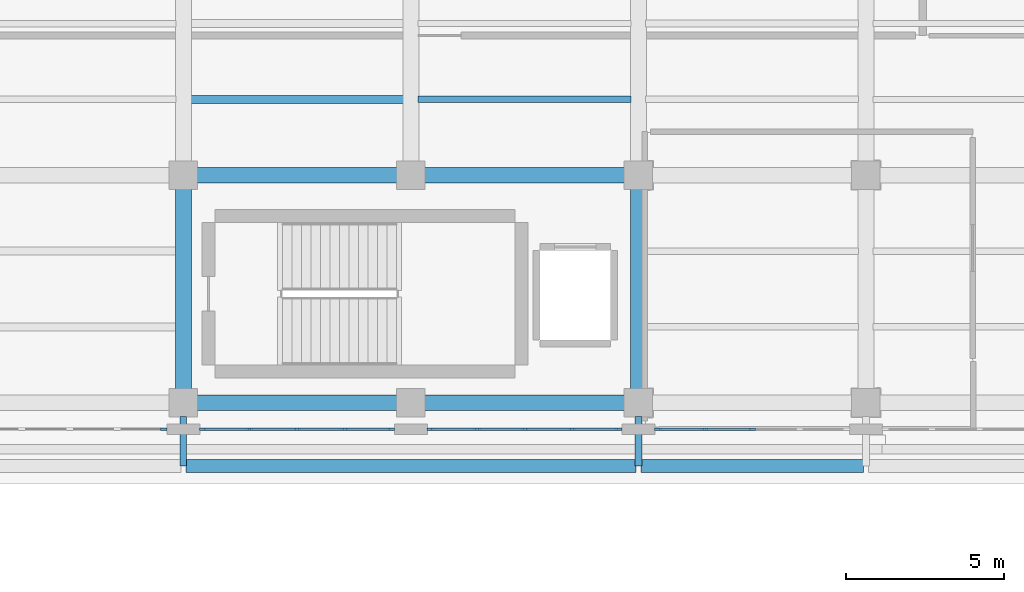
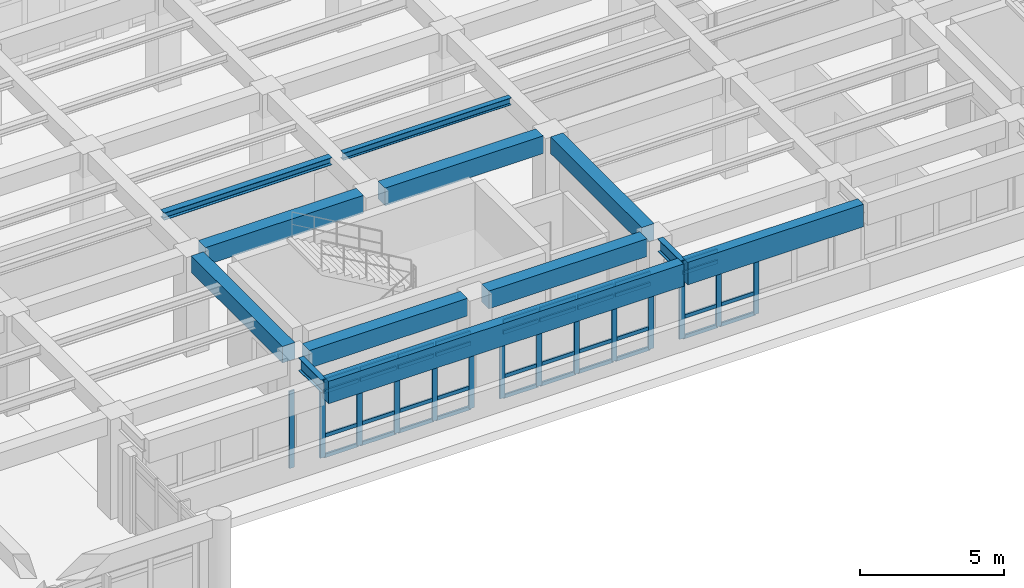
# One storey, part 9 of 69: 52 members, 12 beams, 4 elements without a shape of their own.
"""IFC4 building model written with IfcOpenShell, lengths in metres."""

import ifcopenshell
import ifcopenshell.guid

model = None  # the IFC model being written
_history = None  # IfcOwnerHistory: only IFC2X3 demands one
_inside = {}  # id of a spatial element -> (the spatial element, [elements in it])
_under = {}  # id of a project, library or spatial element -> (it, [spatial elements below it])
_declared = {}  # id of a project -> (the project, [libraries it declares])
_typed = {}  # id of a type object -> (the type object, [elements of that type])
_made_of = {}  # id of a material, layer set ... -> (it, [elements and type objects made of it])


def new_model(schema):
    """Start an empty IFC model of exactly this schema.

    Asked for "IFC4X3", IfcOpenShell would pick the latest addendum, in which some entities
    have other attributes; the version numbers below select the first issue.
    IFC2X3 requires an IfcOwnerHistory on every rooted entity: one is made here for all.
    """
    global model, _history
    if schema == "IFC4X3":
        model = ifcopenshell.file(schema_version=(4, 3, 0, 0))
    else:
        model = ifcopenshell.file(schema=schema)
    _inside.clear()
    _under.clear()
    _declared.clear()
    _typed.clear()
    _made_of.clear()
    _history = None
    if model.schema == "IFC2X3":
        org = make("IfcOrganization", Name="unknown")
        user = make(
            "IfcPersonAndOrganization",
            ThePerson=make("IfcPerson", FamilyName="unknown"),
            TheOrganization=org,
        )
        app = make(
            "IfcApplication",
            ApplicationDeveloper=org,
            Version="unknown",
            ApplicationFullName="unknown",
            ApplicationIdentifier="unknown",
        )
        _history = make(
            "IfcOwnerHistory",
            OwningUser=user,
            OwningApplication=app,
            ChangeAction="ADDED",
            CreationDate=0,
        )
    return model


def make(cls, **values):
    """One entity of the class cls with the attributes given. An attribute that is None is left unset."""
    return model.create_entity(
        cls, **{name: value for name, value in values.items() if value is not None}
    )


def rooted(cls, **values):
    """An entity with a GlobalId (a new one), such as an element, a storey or a relation."""
    return make(cls, GlobalId=ifcopenshell.guid.new(), OwnerHistory=_history, **values)


def si_unit(unit_type, name, prefix=None):
    """IfcSIUnit, for example si_unit("LENGTHUNIT", "METRE", prefix="MILLI")."""
    return make("IfcSIUnit", UnitType=unit_type, Prefix=prefix, Name=name)


def assignment(units):
    """IfcUnitAssignment: the units of a project."""
    return None if units is None else make("IfcUnitAssignment", Units=units)


def point(xyz):
    """IfcCartesianPoint."""
    return None if xyz is None else make("IfcCartesianPoint", Coordinates=xyz)


def direction(xyz):
    """IfcDirection."""
    return None if xyz is None else make("IfcDirection", DirectionRatios=xyz)


def frame(location, z_axis=None, x_axis=None):
    """IfcAxis2Placement3D, a coordinate frame: its origin and axes. An axis left out is left unset."""
    return make(
        "IfcAxis2Placement3D",
        Location=point(location),
        Axis=direction(z_axis),
        RefDirection=direction(x_axis),
    )


def frame_2d(location, x_axis=None):
    """IfcAxis2Placement2D, a coordinate frame in the plane: its origin and x axis."""
    return make(
        "IfcAxis2Placement2D", Location=point(location), RefDirection=direction(x_axis)
    )


def origin():
    """The frame at (0, 0, 0) with its axes left unset."""
    return frame((0.0, 0.0, 0.0))


def origin_2d():
    """The frame at (0, 0) in the plane with its x axis left unset."""
    return frame_2d((0.0, 0.0))


def place(relative_to, where):
    """IfcLocalPlacement: puts the frame where relative to a parent placement (None: the world)."""
    return make(
        "IfcLocalPlacement", PlacementRelTo=relative_to, RelativePlacement=where
    )


def context(
    kind, dimensions, precision=None, world=None, true_north=None, identifier=None
):
    """IfcGeometricRepresentationContext, for example the 3D "Model" context."""
    return make(
        "IfcGeometricRepresentationContext",
        ContextIdentifier=identifier,
        ContextType=kind,
        CoordinateSpaceDimension=dimensions,
        Precision=precision,
        WorldCoordinateSystem=world,
        TrueNorth=true_north,
    )


def subcontext(parent, identifier, kind, view, scale=None):
    """IfcGeometricRepresentationSubContext, for example "Body" below "Model"."""
    return make(
        "IfcGeometricRepresentationSubContext",
        ContextIdentifier=identifier,
        ContextType=kind,
        ParentContext=parent,
        TargetScale=scale,
        TargetView=view,
    )


def project(units=None, contexts=None):
    """IfcProject with its units and contexts."""
    return rooted(
        "IfcProject",
        Name="project",
        RepresentationContexts=contexts,
        UnitsInContext=assignment(units),
    )


def spatial(cls, under=None, at=None, **own):
    """A site, building, storey or space (cls), placed at a placement, below another one or the project."""
    s = rooted(cls, ObjectPlacement=at, **own)
    if under is not None:
        _under.setdefault(under.id(), (under, []))[1].append(s)
    return s


def profile(cls, at=None, kind="AREA", **sizes):
    """A parametric profile (cls). Its sizes go by their IFC names, for example OverallWidth=200.0."""
    return make(cls, ProfileType=kind, Position=at, **sizes)


def rectangle(**sizes):
    """IfcRectangleProfileDef."""
    return profile("IfcRectangleProfileDef", **sizes)


def i_section(**sizes):
    """IfcIShapeProfileDef."""
    return profile("IfcIShapeProfileDef", **sizes)


def extrude(swept, where, along, depth):
    """IfcExtrudedAreaSolid: the profile swept, set in the frame where, extruded along a direction by depth."""
    return make(
        "IfcExtrudedAreaSolid",
        SweptArea=swept,
        Position=where,
        ExtrudedDirection=direction(along),
        Depth=depth,
    )


def shape(context_of_items, identifier, shape_type, items):
    """IfcShapeRepresentation: the items that make up one representation, for example the "Body"."""
    return make(
        "IfcShapeRepresentation",
        ContextOfItems=context_of_items,
        RepresentationIdentifier=identifier,
        RepresentationType=shape_type,
        Items=items,
    )


def material(Name=None, Category=None):
    """IfcMaterial."""
    return make("IfcMaterial", Name=Name, Category=Category)


def layer(
    of_material, thickness, ventilated=None, Name=None, Category=None, Priority=None
):
    """IfcMaterialLayer: one layer of a wall or slab, of a material (None: an air gap)."""
    return make(
        "IfcMaterialLayer",
        Material=of_material,
        LayerThickness=thickness,
        IsVentilated=ventilated,
        Name=Name,
        Category=Category,
        Priority=Priority,
    )


def layer_set(layers, Name=None):
    """IfcMaterialLayerSet."""
    return make("IfcMaterialLayerSet", MaterialLayers=layers, LayerSetName=Name)


def material_profile(
    of_material, cross_section, Name=None, Category=None, Priority=None
):
    """IfcMaterialProfile: a cross section and its material."""
    return make(
        "IfcMaterialProfile",
        Name=Name,
        Material=of_material,
        Profile=cross_section,
        Priority=Priority,
        Category=Category,
    )


def profile_set(profiles, Name=None, composite=None):
    """IfcMaterialProfileSet."""
    return make(
        "IfcMaterialProfileSet",
        Name=Name,
        MaterialProfiles=profiles,
        CompositeProfile=composite,
    )


def made_of(thing, what):
    """Note that an element or type object is made of a material, layer set ...; save() writes the relation."""
    if what is not None:
        _made_of.setdefault(what.id(), (what, []))[1].append(thing)
    return thing


def type_object(cls, material=None, **own):
    """A type object (cls), such as IfcWallType, which elements share."""
    return made_of(rooted(cls, **own), material)


def element(
    cls,
    number,
    at=None,
    inside=None,
    cuts=None,
    type_object=None,
    material=None,
    context=None,
    identifier="Body",
    shape_type=None,
    held_by="IfcProductDefinitionShape",
    body=None,
    shapes=None,
    **own,
):
    """One element of the class cls, such as IfcWall. Its Tag is "e" and its number.

    at: its placement. inside: the storey or other place that contains it. cuts: it is an
    opening in that element (IfcRelVoidsElement). A single representation is given by context,
    identifier, shape_type and body (its items); several are given by shapes. held_by: the class
    of the entity that holds the representations. save() writes the other relations.
    """
    e = rooted(cls, Tag="e%d" % number, ObjectPlacement=at, **own)
    if body is not None:
        shapes = [shape(context, identifier, shape_type, body)]
    if shapes is not None:
        e.Representation = make(held_by, Representations=shapes)
    if inside is not None:
        _inside.setdefault(inside.id(), (inside, []))[1].append(e)
    if cuts is not None:
        rooted(
            "IfcRelVoidsElement", RelatingBuildingElement=cuts, RelatedOpeningElement=e
        )
    if type_object is not None:
        _typed.setdefault(type_object.id(), (type_object, []))[1].append(e)
    return made_of(e, material)


def aggregate(whole, parts):
    """IfcRelAggregates: a whole, such as a stair, and the parts it consists of."""
    return rooted("IfcRelAggregates", RelatingObject=whole, RelatedObjects=parts)


def save(model, path):
    """Write the relations noted so far, then the file.

    IfcRelAggregates (storeys below a building ...), IfcRelContainedInSpatialStructure (elements
    in a storey), IfcRelDefinesByType, IfcRelAssociatesMaterial and IfcRelDeclares: one each for
    every whole, place, type object, material and project.
    """
    for whole, parts in _under.values():
        aggregate(whole, parts)
    for where, things in _inside.values():
        rooted(
            "IfcRelContainedInSpatialStructure",
            RelatedElements=things,
            RelatingStructure=where,
        )
    for kind, things in _typed.values():
        rooted("IfcRelDefinesByType", RelatedObjects=things, RelatingType=kind)
    for what, things in _made_of.values():
        rooted("IfcRelAssociatesMaterial", RelatedObjects=things, RelatingMaterial=what)
    for by, libraries in _declared.values():
        rooted("IfcRelDeclares", RelatingContext=by, RelatedDefinitions=libraries)
    model.write(path)


model = new_model("IFC4")

# Units and contexts
model_context = context("Model", 3, precision=1e-05, world=origin(), true_north=direction((0.0, 1.0)))
body_context = subcontext(model_context, "Body", "Model", "MODEL_VIEW")
ifc_project = project(units=[si_unit("LENGTHUNIT", "METRE"), si_unit("AREAUNIT", "SQUARE_METRE"), si_unit("VOLUMEUNIT", "CUBIC_METRE"), si_unit("PLANEANGLEUNIT", "RADIAN"), si_unit("MASSUNIT", "GRAM", prefix="KILO")], contexts=[model_context])

# Site, building, storey
site_placement = place(None, origin())
site = spatial("IfcSite", under=ifc_project, at=site_placement, CompositionType="ELEMENT")
building_placement = place(site_placement, origin())
building = spatial("IfcBuilding", under=site, at=building_placement, Name="Solenvale Faculty of Natural Sciences", CompositionType="ELEMENT")
storey_placement = place(building_placement, frame((0.0, 0.0, 4.5)))
storey = spatial("IfcBuildingStorey", under=building, at=storey_placement, Name="L01", CompositionType="ELEMENT", Elevation=4.5)

# Beams
ifc_material_1 = material(Name="Concrete 40 MPa", Category="concrete")
ifc_material_profile_1 = material_profile(ifc_material_1, rectangle(XDim=0.5, YDim=0.699951171875, at=origin_2d()), Name="RC-BM-500x700")
ifc_profile_set_1 = profile_set([ifc_material_profile_1], Name="Concrete 40 MPa")
beam_type_1 = type_object("IfcBeamType", Name="BM-RC-500x700", PredefinedType="BEAM", material=ifc_profile_set_1)
for number, where, z_axis, x_axis, name in (
    (1, (64.800048828125, 22.030029296875, 3.8701171875), (0.0, 1.0, 0.0), (-1.0, 0.0, 0.0), "L01 Y-Girder X64.8 (21.6..28.8)"),
    (2, (79.199951171875, 22.030029296875, 3.8701171875), (0.0, 1.0, 0.0), (-1.0, 0.0, 0.0), "L01 Y-Girder X79.2 (21.6..28.8)"),
):
    element("IfcBeam", number, at=place(storey_placement, frame(where, z_axis=z_axis, x_axis=x_axis)), inside=storey, type_object=beam_type_1, Name=name, PredefinedType="BEAM", context=body_context, shape_type="SweptSolid", body=[
        extrude(rectangle(XDim=0.5, YDim=0.699951171875, at=origin_2d()), origin(), (0.0, 0.0, 1.0), 6.340087890625),
    ])
ifc_material_profile_2 = material_profile(ifc_material_1, rectangle(XDim=0.5, YDim=0.75, at=origin_2d()), Name="RC-BM-500x750")
ifc_profile_set_2 = profile_set([ifc_material_profile_2], Name="Concrete 40 MPa")
beam_type_2 = type_object("IfcBeamType", Name="BM-RC-500x750", PredefinedType="BEAM", material=ifc_profile_set_2)
for number, where, z_axis, x_axis, name in (
    (3, (65.22998046875, 21.60009765625, 3.844970703125), (1.0, 0.0, 0.0), (0.0, 1.0, 0.0), "L01 X-Girder Y21.6 (64.8..72.0)"),
    (4, (72.429931640625, 21.60009765625, 3.844970703125), (1.0, 0.0, 0.0), (0.0, 1.0, 0.0), "L01 X-Girder Y21.6 (72.0..79.2)"),
    (5, (65.22998046875, 28.800048828125, 3.844970703125), (1.0, 0.0, 0.0), (0.0, 1.0, 0.0), "L01 X-Girder Y28.8 (64.8..72.0)"),
    (6, (72.429931640625, 28.800048828125, 3.844970703125), (1.0, 0.0, 0.0), (0.0, 1.0, 0.0), "L01 X-Girder Y28.8 (72.0..79.2)"),
):
    element("IfcBeam", number, at=place(storey_placement, frame(where, z_axis=z_axis, x_axis=x_axis)), inside=storey, type_object=beam_type_2, Name=name, PredefinedType="BEAM", context=body_context, shape_type="SweptSolid", body=[
        extrude(rectangle(XDim=0.5, YDim=0.75, at=origin_2d()), origin(), (0.0, 0.0, 1.0), 6.340087890625),
    ])
ifc_material_2 = material(Name="Architectural bronze concrete 40 MPa", Category="concrete")
ifc_material_profile_3 = material_profile(ifc_material_2, rectangle(XDim=0.39990234375, YDim=0.949951171875, at=origin_2d()), Name="RC-SPN-400x950")
ifc_profile_set_3 = profile_set([ifc_material_profile_3], Name="Architectural bronze concrete 40 MPa")
beam_type_3 = type_object("IfcBeamType", Name="BM-SPN-BRZ-950", PredefinedType="SPANDREL", material=ifc_profile_set_3)
beam_1_placement = place(storey_placement, frame((64.8798828125, 19.60009765625, 3.7451171875), z_axis=(1.0, 0.0, 0.0), x_axis=(0.0, 1.0, 0.0)))
element("IfcBeam", 7, at=beam_1_placement, inside=storey, type_object=beam_type_3, Name="L02 Sliding-Tray South Bronze Fascia 2", PredefinedType="SPANDREL", context=body_context, shape_type="SweptSolid", body=[
    extrude(rectangle(XDim=0.39990234375, YDim=0.949951171875, at=origin_2d()), origin(), (0.0, 0.0, 1.0), 14.240234375),
])
beam_2_placement = place(storey_placement, frame((79.280029296875, 19.60009765625, 3.7451171875), z_axis=(1.0, 0.0, 0.0), x_axis=(0.0, 1.0, 0.0)))
element("IfcBeam", 8, at=beam_2_placement, inside=storey, type_object=beam_type_3, Name="L02 Sliding-Tray South Bronze Fascia 3", PredefinedType="SPANDREL", context=body_context, shape_type="SweptSolid", body=[
    extrude(rectangle(XDim=0.39990234375, YDim=0.949951171875, at=origin_2d()), origin(), (0.0, 0.0, 1.0), 7.0400390625),
])
ifc_material_3 = material(Name="Steel S355", Category="steel")
ifc_material_profile_4 = material_profile(ifc_material_3, i_section(OverallWidth=0.202880859375, OverallDepth=0.302978515625, WebThickness=0.007568359375, FlangeThickness=0.01318359375, FilletRadius=0.014892578125, at=origin_2d()), Name="W310x60")
ifc_profile_set_4 = profile_set([ifc_material_profile_4], Name="Steel S355")
beam_type_4 = type_object("IfcBeamType", Name="BM-STL-W310x60", PredefinedType="JOIST", material=ifc_profile_set_4)
beam_3_placement = place(storey_placement, frame((72.22998046875, 31.199951171875, 4.068603515625), z_axis=(1.0, 0.0, 0.0), x_axis=(0.0, 1.0, 0.0)))
element("IfcBeam", 9, at=beam_3_placement, inside=storey, type_object=beam_type_4, Name="L01 Composite Floor Joist (11,5).1", PredefinedType="JOIST", context=body_context, shape_type="SweptSolid", body=[
    extrude(i_section(OverallWidth=0.202880859375, OverallDepth=0.302978515625, WebThickness=0.007568359375, FlangeThickness=0.01318359375, FilletRadius=0.014892578125, at=origin_2d()), origin(), (0.0, 0.0, 1.0), 6.739990234375),
])
ifc_material_profile_5 = material_profile(ifc_material_3, i_section(OverallWidth=0.25390625, OverallDepth=0.305908203125, WebThickness=0.0087890625, FlangeThickness=0.0146484375, FilletRadius=0.014892578125, at=origin_2d()), Name="W310x79")
ifc_profile_set_5 = profile_set([ifc_material_profile_5], Name="Steel S355")
beam_type_5 = type_object("IfcBeamType", Name="BM-STL-W310x79", PredefinedType="JOIST", material=ifc_profile_set_5)
beam_4_placement = place(storey_placement, frame((65.030029296875, 31.199951171875, 4.06689453125), z_axis=(1.0, 0.0, 0.0), x_axis=(0.0, 1.0, 0.0)))
element("IfcBeam", 10, at=beam_4_placement, inside=storey, type_object=beam_type_5, Name="L01 Composite Floor Joist (10,5).1", PredefinedType="JOIST", context=body_context, shape_type="SweptSolid", body=[
    extrude(i_section(OverallWidth=0.25390625, OverallDepth=0.305908203125, WebThickness=0.0087890625, FlangeThickness=0.0146484375, FilletRadius=0.014892578125, at=origin_2d()), origin(), (0.0, 0.0, 1.0), 6.739990234375),
])
ifc_material_profile_6 = material_profile(ifc_material_3, i_section(OverallWidth=0.2119140625, OverallDepth=0.5439453125, WebThickness=0.01318359375, FlangeThickness=0.021240234375, FilletRadius=0.01904296875, at=origin_2d()), Name="W530x123")
ifc_profile_set_6 = profile_set([ifc_material_profile_6], Name="Steel S355")
beam_type_6 = type_object("IfcBeamType", Name="BM-STL-W530x123", PredefinedType="BEAM", material=ifc_profile_set_6)
for number, where, z_axis, x_axis, name in (
    (11, (64.800048828125, 21.169921875, 3.947998046875), (0.0, -1.0, 0.0), (1.0, 0.0, 0.0), "L01 V4 Cantilever Tray Girder X64.8"),
    (12, (79.199951171875, 21.169921875, 3.947998046875), (0.0, -1.0, 0.0), (1.0, 0.0, 0.0), "L01 V4 Cantilever Tray Girder X79.2"),
):
    element("IfcBeam", number, at=place(storey_placement, frame(where, z_axis=z_axis, x_axis=x_axis)), inside=storey, type_object=beam_type_6, Name=name, PredefinedType="BEAM", context=body_context, shape_type="SweptSolid", body=[
        extrude(i_section(OverallWidth=0.2119140625, OverallDepth=0.5439453125, WebThickness=0.01318359375, FlangeThickness=0.021240234375, FilletRadius=0.01904296875, at=origin_2d()), origin(), (0.0, 0.0, 1.0), 1.56982421875),
    ])

# Curtain wall, member
ifc_material_4 = material(Name="Anodised bronze aluminium", Category="aluminium")
ifc_layer = layer(ifc_material_4, 0.18994140625)
ifc_layer_set = layer_set([ifc_layer], Name="Anodised bronze aluminium")
curtain_wall_type = type_object("IfcCurtainWallType", Name="CW-TRAY-REC", PredefinedType="USERDEFINED", material=ifc_layer_set)
curtain_wall_1_placement = place(storey_placement, origin())
curtain_wall_1 = element("IfcCurtainWall", 13, at=curtain_wall_1_placement, inside=storey, type_object=curtain_wall_type, Name="L01 Curtain Wall CW-L01-P1-E5-B1", ObjectType="UNITISED CURTAIN WALL", PredefinedType="USERDEFINED")
ifc_material_profile_7 = material_profile(ifc_material_4, rectangle(XDim=0.074951171875, YDim=0.2099609375, at=origin_2d()), Name="ALU-MUL-75x210")
ifc_profile_set_7 = profile_set([ifc_material_profile_7], Name="Anodised bronze aluminium")
member_type_1 = type_object("IfcMemberType", Name="CWM-ALU-75x210", PredefinedType="MULLION", material=ifc_profile_set_7)
member_1_placement = place(storey_placement, frame((64.1826171875, 20.762451171875, 0.0), z_axis=(0.0, 0.0, 1.0), x_axis=(0.0, 1.0, 0.0)))
member_1 = element("IfcMember", 14, at=member_1_placement, type_object=member_type_1, Name="CW-02 mullion 5", PredefinedType="MULLION", context=body_context, shape_type="SweptSolid", body=[
    extrude(rectangle(XDim=0.074951171875, YDim=0.2099609375, at=origin_2d()), origin(), (0.0, 0.0, 1.0), 3.260009765625),
])
aggregate(curtain_wall_1, [member_1])

# Curtain wall, members
curtain_wall_2_placement = place(storey_placement, origin())
curtain_wall_2 = element("IfcCurtainWall", 15, at=curtain_wall_2_placement, inside=storey, type_object=curtain_wall_type, Name="L01 Curtain Wall CW-L01-P1-E5-B2", ObjectType="UNITISED CURTAIN WALL", PredefinedType="USERDEFINED")
member_2_placement = place(storey_placement, frame((65.41748046875, 20.762451171875, 0.0), z_axis=(0.0, 0.0, 1.0), x_axis=(0.0, 1.0, 0.0)))
member_2 = element("IfcMember", 16, at=member_2_placement, type_object=member_type_1, Name="CW-02 mullion 1", PredefinedType="MULLION", context=body_context, shape_type="SweptSolid", body=[
    extrude(rectangle(XDim=0.074951171875, YDim=0.2099609375, at=origin_2d()), origin(), (0.0, 0.0, 1.0), 3.260009765625),
])
member_3_placement = place(storey_placement, frame((66.889892578125, 20.762451171875, 0.0), z_axis=(0.0, 0.0, 1.0), x_axis=(0.0, 1.0, 0.0)))
member_3 = element("IfcMember", 17, at=member_3_placement, type_object=member_type_1, Name="CW-02 mullion 2", PredefinedType="MULLION", context=body_context, shape_type="SweptSolid", body=[
    extrude(rectangle(XDim=0.074951171875, YDim=0.2099609375, at=origin_2d()), origin(), (0.0, 0.0, 1.0), 3.260009765625),
])
member_4_placement = place(storey_placement, frame((68.39990234375, 20.762451171875, 0.0), z_axis=(0.0, 0.0, 1.0), x_axis=(0.0, 1.0, 0.0)))
member_4 = element("IfcMember", 18, at=member_4_placement, type_object=member_type_1, Name="CW-02 mullion 3", PredefinedType="MULLION", context=body_context, shape_type="SweptSolid", body=[
    extrude(rectangle(XDim=0.074951171875, YDim=0.2099609375, at=origin_2d()), origin(), (0.0, 0.0, 1.0), 3.260009765625),
])
member_5_placement = place(storey_placement, frame((69.909912109375, 20.762451171875, 0.0), z_axis=(0.0, 0.0, 1.0), x_axis=(0.0, 1.0, 0.0)))
member_5 = element("IfcMember", 19, at=member_5_placement, type_object=member_type_1, Name="CW-02 mullion 4", PredefinedType="MULLION", context=body_context, shape_type="SweptSolid", body=[
    extrude(rectangle(XDim=0.074951171875, YDim=0.2099609375, at=origin_2d()), origin(), (0.0, 0.0, 1.0), 3.260009765625),
])
member_6_placement = place(storey_placement, frame((71.382568359375, 20.762451171875, 0.0), z_axis=(0.0, 0.0, 1.0), x_axis=(0.0, 1.0, 0.0)))
member_6 = element("IfcMember", 20, at=member_6_placement, type_object=member_type_1, Name="CW-02 mullion 5", PredefinedType="MULLION", context=body_context, shape_type="SweptSolid", body=[
    extrude(rectangle(XDim=0.074951171875, YDim=0.2099609375, at=origin_2d()), origin(), (0.0, 0.0, 1.0), 3.260009765625),
])

curtain_wall_3_placement = place(storey_placement, origin())
curtain_wall_3 = element("IfcCurtainWall", 21, at=curtain_wall_3_placement, inside=storey, type_object=curtain_wall_type, Name="L01 Curtain Wall CW-L01-P1-E5-B3", ObjectType="UNITISED CURTAIN WALL", PredefinedType="USERDEFINED")
member_7_placement = place(storey_placement, frame((72.617431640625, 20.762451171875, 0.0), z_axis=(0.0, 0.0, 1.0), x_axis=(0.0, 1.0, 0.0)))
member_7 = element("IfcMember", 22, at=member_7_placement, type_object=member_type_1, Name="CW-02 mullion 1", PredefinedType="MULLION", context=body_context, shape_type="SweptSolid", body=[
    extrude(rectangle(XDim=0.074951171875, YDim=0.2099609375, at=origin_2d()), origin(), (0.0, 0.0, 1.0), 3.260009765625),
])
member_8_placement = place(storey_placement, frame((74.090087890625, 20.762451171875, 0.0), z_axis=(0.0, 0.0, 1.0), x_axis=(0.0, 1.0, 0.0)))
member_8 = element("IfcMember", 23, at=member_8_placement, type_object=member_type_1, Name="CW-02 mullion 2", PredefinedType="MULLION", context=body_context, shape_type="SweptSolid", body=[
    extrude(rectangle(XDim=0.074951171875, YDim=0.2099609375, at=origin_2d()), origin(), (0.0, 0.0, 1.0), 3.260009765625),
])
member_9_placement = place(storey_placement, frame((75.60009765625, 20.762451171875, 0.0), z_axis=(0.0, 0.0, 1.0), x_axis=(0.0, 1.0, 0.0)))
member_9 = element("IfcMember", 24, at=member_9_placement, type_object=member_type_1, Name="CW-02 mullion 3", PredefinedType="MULLION", context=body_context, shape_type="SweptSolid", body=[
    extrude(rectangle(XDim=0.074951171875, YDim=0.2099609375, at=origin_2d()), origin(), (0.0, 0.0, 1.0), 3.260009765625),
])
member_10_placement = place(storey_placement, frame((77.110107421875, 20.762451171875, 0.0), z_axis=(0.0, 0.0, 1.0), x_axis=(0.0, 1.0, 0.0)))
member_10 = element("IfcMember", 25, at=member_10_placement, type_object=member_type_1, Name="CW-02 mullion 4", PredefinedType="MULLION", context=body_context, shape_type="SweptSolid", body=[
    extrude(rectangle(XDim=0.074951171875, YDim=0.2099609375, at=origin_2d()), origin(), (0.0, 0.0, 1.0), 3.260009765625),
])
member_11_placement = place(storey_placement, frame((78.58251953125, 20.762451171875, 0.0), z_axis=(0.0, 0.0, 1.0), x_axis=(0.0, 1.0, 0.0)))
member_11 = element("IfcMember", 26, at=member_11_placement, type_object=member_type_1, Name="CW-02 mullion 5", PredefinedType="MULLION", context=body_context, shape_type="SweptSolid", body=[
    extrude(rectangle(XDim=0.074951171875, YDim=0.2099609375, at=origin_2d()), origin(), (0.0, 0.0, 1.0), 3.260009765625),
])

curtain_wall_4_placement = place(storey_placement, origin())
curtain_wall_4 = element("IfcCurtainWall", 27, at=curtain_wall_4_placement, inside=storey, type_object=curtain_wall_type, Name="L01 Curtain Wall CW-L01-P1-E5-B4", ObjectType="UNITISED CURTAIN WALL", PredefinedType="USERDEFINED")
member_12_placement = place(storey_placement, frame((79.8173828125, 20.762451171875, 0.0), z_axis=(0.0, 0.0, 1.0), x_axis=(0.0, 1.0, 0.0)))
member_12 = element("IfcMember", 28, at=member_12_placement, type_object=member_type_1, Name="CW-02 mullion 1", PredefinedType="MULLION", context=body_context, shape_type="SweptSolid", body=[
    extrude(rectangle(XDim=0.074951171875, YDim=0.2099609375, at=origin_2d()), origin(), (0.0, 0.0, 1.0), 3.260009765625),
])
member_13_placement = place(storey_placement, frame((81.2900390625, 20.762451171875, 0.0), z_axis=(0.0, 0.0, 1.0), x_axis=(0.0, 1.0, 0.0)))
member_13 = element("IfcMember", 29, at=member_13_placement, type_object=member_type_1, Name="CW-02 mullion 2", PredefinedType="MULLION", context=body_context, shape_type="SweptSolid", body=[
    extrude(rectangle(XDim=0.074951171875, YDim=0.2099609375, at=origin_2d()), origin(), (0.0, 0.0, 1.0), 3.260009765625),
])
member_14_placement = place(storey_placement, frame((82.800048828125, 20.762451171875, 0.0), z_axis=(0.0, 0.0, 1.0), x_axis=(0.0, 1.0, 0.0)))
member_14 = element("IfcMember", 30, at=member_14_placement, type_object=member_type_1, Name="CW-02 mullion 3", PredefinedType="MULLION", context=body_context, shape_type="SweptSolid", body=[
    extrude(rectangle(XDim=0.074951171875, YDim=0.2099609375, at=origin_2d()), origin(), (0.0, 0.0, 1.0), 3.260009765625),
])

# Member
ifc_material_profile_8 = material_profile(ifc_material_4, rectangle(XDim=0.074951171875, YDim=0.155029296875, at=origin_2d()), Name="ALU-TRN-75x155")
ifc_profile_set_8 = profile_set([ifc_material_profile_8], Name="Anodised bronze aluminium")
member_type_2 = type_object("IfcMemberType", Name="CWT-ALU-75x155", PredefinedType="USERDEFINED", material=ifc_profile_set_8)
member_15_placement = place(storey_placement, frame((65.455078125, 20.762451171875, 0.03759765625), z_axis=(1.0, 0.0, 0.0), x_axis=(0.0, 1.0, 0.0)))
member_15 = element("IfcMember", 31, at=member_15_placement, type_object=member_type_2, Name="CW-02 transom 1.1", ObjectType="TRANSOM", PredefinedType="USERDEFINED", context=body_context, shape_type="SweptSolid", body=[
    extrude(rectangle(XDim=0.074951171875, YDim=0.155029296875, at=origin_2d()), origin(), (0.0, 0.0, 1.0), 1.3974609375),
])

member_16_placement = place(storey_placement, frame((65.455078125, 20.762451171875, 0.89990234375), z_axis=(1.0, 0.0, 0.0), x_axis=(0.0, 1.0, 0.0)))
member_16 = element("IfcMember", 32, at=member_16_placement, type_object=member_type_2, Name="CW-02 transom 1.2", ObjectType="TRANSOM", PredefinedType="USERDEFINED", context=body_context, shape_type="SweptSolid", body=[
    extrude(rectangle(XDim=0.074951171875, YDim=0.155029296875, at=origin_2d()), origin(), (0.0, 0.0, 1.0), 1.3974609375),
])

member_17_placement = place(storey_placement, frame((65.455078125, 20.762451171875, 2.760009765625), z_axis=(1.0, 0.0, 0.0), x_axis=(0.0, 1.0, 0.0)))
member_17 = element("IfcMember", 33, at=member_17_placement, type_object=member_type_2, Name="CW-02 transom 1.3", ObjectType="TRANSOM", PredefinedType="USERDEFINED", context=body_context, shape_type="SweptSolid", body=[
    extrude(rectangle(XDim=0.074951171875, YDim=0.155029296875, at=origin_2d()), origin(), (0.0, 0.0, 1.0), 1.3974609375),
])

member_18_placement = place(storey_placement, frame((65.455078125, 20.762451171875, 3.222412109375), z_axis=(1.0, 0.0, 0.0), x_axis=(0.0, 1.0, 0.0)))
member_18 = element("IfcMember", 34, at=member_18_placement, type_object=member_type_2, Name="CW-02 transom 1.4", ObjectType="TRANSOM", PredefinedType="USERDEFINED", context=body_context, shape_type="SweptSolid", body=[
    extrude(rectangle(XDim=0.074951171875, YDim=0.155029296875, at=origin_2d()), origin(), (0.0, 0.0, 1.0), 1.3974609375),
])

member_19_placement = place(storey_placement, frame((66.927490234375, 20.762451171875, 0.03759765625), z_axis=(1.0, 0.0, 0.0), x_axis=(0.0, 1.0, 0.0)))
member_19 = element("IfcMember", 35, at=member_19_placement, type_object=member_type_2, Name="CW-02 transom 2.1", ObjectType="TRANSOM", PredefinedType="USERDEFINED", context=body_context, shape_type="SweptSolid", body=[
    extrude(rectangle(XDim=0.074951171875, YDim=0.155029296875, at=origin_2d()), origin(), (0.0, 0.0, 1.0), 1.43505859375),
])

member_20_placement = place(storey_placement, frame((66.927490234375, 20.762451171875, 0.89990234375), z_axis=(1.0, 0.0, 0.0), x_axis=(0.0, 1.0, 0.0)))
member_20 = element("IfcMember", 36, at=member_20_placement, type_object=member_type_2, Name="CW-02 transom 2.2", ObjectType="TRANSOM", PredefinedType="USERDEFINED", context=body_context, shape_type="SweptSolid", body=[
    extrude(rectangle(XDim=0.074951171875, YDim=0.155029296875, at=origin_2d()), origin(), (0.0, 0.0, 1.0), 1.43505859375),
])

member_21_placement = place(storey_placement, frame((66.927490234375, 20.762451171875, 2.760009765625), z_axis=(1.0, 0.0, 0.0), x_axis=(0.0, 1.0, 0.0)))
member_21 = element("IfcMember", 37, at=member_21_placement, type_object=member_type_2, Name="CW-02 transom 2.3", ObjectType="TRANSOM", PredefinedType="USERDEFINED", context=body_context, shape_type="SweptSolid", body=[
    extrude(rectangle(XDim=0.074951171875, YDim=0.155029296875, at=origin_2d()), origin(), (0.0, 0.0, 1.0), 1.43505859375),
])

member_22_placement = place(storey_placement, frame((66.927490234375, 20.762451171875, 3.222412109375), z_axis=(1.0, 0.0, 0.0), x_axis=(0.0, 1.0, 0.0)))
member_22 = element("IfcMember", 38, at=member_22_placement, type_object=member_type_2, Name="CW-02 transom 2.4", ObjectType="TRANSOM", PredefinedType="USERDEFINED", context=body_context, shape_type="SweptSolid", body=[
    extrude(rectangle(XDim=0.074951171875, YDim=0.155029296875, at=origin_2d()), origin(), (0.0, 0.0, 1.0), 1.43505859375),
])

member_23_placement = place(storey_placement, frame((68.4375, 20.762451171875, 0.03759765625), z_axis=(1.0, 0.0, 0.0), x_axis=(0.0, 1.0, 0.0)))
member_23 = element("IfcMember", 39, at=member_23_placement, type_object=member_type_2, Name="CW-02 transom 3.1", ObjectType="TRANSOM", PredefinedType="USERDEFINED", context=body_context, shape_type="SweptSolid", body=[
    extrude(rectangle(XDim=0.074951171875, YDim=0.155029296875, at=origin_2d()), origin(), (0.0, 0.0, 1.0), 1.43505859375),
])

member_24_placement = place(storey_placement, frame((68.4375, 20.762451171875, 0.89990234375), z_axis=(1.0, 0.0, 0.0), x_axis=(0.0, 1.0, 0.0)))
member_24 = element("IfcMember", 40, at=member_24_placement, type_object=member_type_2, Name="CW-02 transom 3.2", ObjectType="TRANSOM", PredefinedType="USERDEFINED", context=body_context, shape_type="SweptSolid", body=[
    extrude(rectangle(XDim=0.074951171875, YDim=0.155029296875, at=origin_2d()), origin(), (0.0, 0.0, 1.0), 1.43505859375),
])

member_25_placement = place(storey_placement, frame((68.4375, 20.762451171875, 2.760009765625), z_axis=(1.0, 0.0, 0.0), x_axis=(0.0, 1.0, 0.0)))
member_25 = element("IfcMember", 41, at=member_25_placement, type_object=member_type_2, Name="CW-02 transom 3.3", ObjectType="TRANSOM", PredefinedType="USERDEFINED", context=body_context, shape_type="SweptSolid", body=[
    extrude(rectangle(XDim=0.074951171875, YDim=0.155029296875, at=origin_2d()), origin(), (0.0, 0.0, 1.0), 1.43505859375),
])

member_26_placement = place(storey_placement, frame((68.4375, 20.762451171875, 3.222412109375), z_axis=(1.0, 0.0, 0.0), x_axis=(0.0, 1.0, 0.0)))
member_26 = element("IfcMember", 42, at=member_26_placement, type_object=member_type_2, Name="CW-02 transom 3.4", ObjectType="TRANSOM", PredefinedType="USERDEFINED", context=body_context, shape_type="SweptSolid", body=[
    extrude(rectangle(XDim=0.074951171875, YDim=0.155029296875, at=origin_2d()), origin(), (0.0, 0.0, 1.0), 1.43505859375),
])

member_27_placement = place(storey_placement, frame((69.947509765625, 20.762451171875, 0.03759765625), z_axis=(1.0, 0.0, 0.0), x_axis=(0.0, 1.0, 0.0)))
member_27 = element("IfcMember", 43, at=member_27_placement, type_object=member_type_2, Name="CW-02 transom 4.1", ObjectType="TRANSOM", PredefinedType="USERDEFINED", context=body_context, shape_type="SweptSolid", body=[
    extrude(rectangle(XDim=0.074951171875, YDim=0.155029296875, at=origin_2d()), origin(), (0.0, 0.0, 1.0), 1.3974609375),
])

member_28_placement = place(storey_placement, frame((69.947509765625, 20.762451171875, 0.89990234375), z_axis=(1.0, 0.0, 0.0), x_axis=(0.0, 1.0, 0.0)))
member_28 = element("IfcMember", 44, at=member_28_placement, type_object=member_type_2, Name="CW-02 transom 4.2", ObjectType="TRANSOM", PredefinedType="USERDEFINED", context=body_context, shape_type="SweptSolid", body=[
    extrude(rectangle(XDim=0.074951171875, YDim=0.155029296875, at=origin_2d()), origin(), (0.0, 0.0, 1.0), 1.3974609375),
])

member_29_placement = place(storey_placement, frame((69.947509765625, 20.762451171875, 2.760009765625), z_axis=(1.0, 0.0, 0.0), x_axis=(0.0, 1.0, 0.0)))
member_29 = element("IfcMember", 45, at=member_29_placement, type_object=member_type_2, Name="CW-02 transom 4.3", ObjectType="TRANSOM", PredefinedType="USERDEFINED", context=body_context, shape_type="SweptSolid", body=[
    extrude(rectangle(XDim=0.074951171875, YDim=0.155029296875, at=origin_2d()), origin(), (0.0, 0.0, 1.0), 1.3974609375),
])

member_30_placement = place(storey_placement, frame((69.947509765625, 20.762451171875, 3.222412109375), z_axis=(1.0, 0.0, 0.0), x_axis=(0.0, 1.0, 0.0)))
member_30 = element("IfcMember", 46, at=member_30_placement, type_object=member_type_2, Name="CW-02 transom 4.4", ObjectType="TRANSOM", PredefinedType="USERDEFINED", context=body_context, shape_type="SweptSolid", body=[
    extrude(rectangle(XDim=0.074951171875, YDim=0.155029296875, at=origin_2d()), origin(), (0.0, 0.0, 1.0), 1.3974609375),
])

aggregate(curtain_wall_2, [member_2, member_3, member_4, member_5, member_6, member_15, member_16, member_17, member_18, member_19, member_20, member_21, member_22, member_23, member_24, member_25, member_26, member_27, member_28, member_29, member_30])

member_31_placement = place(storey_placement, frame((72.655029296875, 20.762451171875, 0.03759765625), z_axis=(1.0, 0.0, 0.0), x_axis=(0.0, 1.0, 0.0)))
member_31 = element("IfcMember", 47, at=member_31_placement, type_object=member_type_2, Name="CW-02 transom 1.1", ObjectType="TRANSOM", PredefinedType="USERDEFINED", context=body_context, shape_type="SweptSolid", body=[
    extrude(rectangle(XDim=0.074951171875, YDim=0.155029296875, at=origin_2d()), origin(), (0.0, 0.0, 1.0), 1.3974609375),
])

member_32_placement = place(storey_placement, frame((72.655029296875, 20.762451171875, 0.89990234375), z_axis=(1.0, 0.0, 0.0), x_axis=(0.0, 1.0, 0.0)))
member_32 = element("IfcMember", 48, at=member_32_placement, type_object=member_type_2, Name="CW-02 transom 1.2", ObjectType="TRANSOM", PredefinedType="USERDEFINED", context=body_context, shape_type="SweptSolid", body=[
    extrude(rectangle(XDim=0.074951171875, YDim=0.155029296875, at=origin_2d()), origin(), (0.0, 0.0, 1.0), 1.3974609375),
])

member_33_placement = place(storey_placement, frame((72.655029296875, 20.762451171875, 2.760009765625), z_axis=(1.0, 0.0, 0.0), x_axis=(0.0, 1.0, 0.0)))
member_33 = element("IfcMember", 49, at=member_33_placement, type_object=member_type_2, Name="CW-02 transom 1.3", ObjectType="TRANSOM", PredefinedType="USERDEFINED", context=body_context, shape_type="SweptSolid", body=[
    extrude(rectangle(XDim=0.074951171875, YDim=0.155029296875, at=origin_2d()), origin(), (0.0, 0.0, 1.0), 1.3974609375),
])

member_34_placement = place(storey_placement, frame((72.655029296875, 20.762451171875, 3.222412109375), z_axis=(1.0, 0.0, 0.0), x_axis=(0.0, 1.0, 0.0)))
member_34 = element("IfcMember", 50, at=member_34_placement, type_object=member_type_2, Name="CW-02 transom 1.4", ObjectType="TRANSOM", PredefinedType="USERDEFINED", context=body_context, shape_type="SweptSolid", body=[
    extrude(rectangle(XDim=0.074951171875, YDim=0.155029296875, at=origin_2d()), origin(), (0.0, 0.0, 1.0), 1.3974609375),
])

member_35_placement = place(storey_placement, frame((74.12744140625, 20.762451171875, 0.03759765625), z_axis=(1.0, 0.0, 0.0), x_axis=(0.0, 1.0, 0.0)))
member_35 = element("IfcMember", 51, at=member_35_placement, type_object=member_type_2, Name="CW-02 transom 2.1", ObjectType="TRANSOM", PredefinedType="USERDEFINED", context=body_context, shape_type="SweptSolid", body=[
    extrude(rectangle(XDim=0.074951171875, YDim=0.155029296875, at=origin_2d()), origin(), (0.0, 0.0, 1.0), 1.43505859375),
])

member_36_placement = place(storey_placement, frame((74.12744140625, 20.762451171875, 0.89990234375), z_axis=(1.0, 0.0, 0.0), x_axis=(0.0, 1.0, 0.0)))
member_36 = element("IfcMember", 52, at=member_36_placement, type_object=member_type_2, Name="CW-02 transom 2.2", ObjectType="TRANSOM", PredefinedType="USERDEFINED", context=body_context, shape_type="SweptSolid", body=[
    extrude(rectangle(XDim=0.074951171875, YDim=0.155029296875, at=origin_2d()), origin(), (0.0, 0.0, 1.0), 1.43505859375),
])

member_37_placement = place(storey_placement, frame((74.12744140625, 20.762451171875, 2.760009765625), z_axis=(1.0, 0.0, 0.0), x_axis=(0.0, 1.0, 0.0)))
member_37 = element("IfcMember", 53, at=member_37_placement, type_object=member_type_2, Name="CW-02 transom 2.3", ObjectType="TRANSOM", PredefinedType="USERDEFINED", context=body_context, shape_type="SweptSolid", body=[
    extrude(rectangle(XDim=0.074951171875, YDim=0.155029296875, at=origin_2d()), origin(), (0.0, 0.0, 1.0), 1.43505859375),
])

member_38_placement = place(storey_placement, frame((74.12744140625, 20.762451171875, 3.222412109375), z_axis=(1.0, 0.0, 0.0), x_axis=(0.0, 1.0, 0.0)))
member_38 = element("IfcMember", 54, at=member_38_placement, type_object=member_type_2, Name="CW-02 transom 2.4", ObjectType="TRANSOM", PredefinedType="USERDEFINED", context=body_context, shape_type="SweptSolid", body=[
    extrude(rectangle(XDim=0.074951171875, YDim=0.155029296875, at=origin_2d()), origin(), (0.0, 0.0, 1.0), 1.43505859375),
])

member_39_placement = place(storey_placement, frame((75.637451171875, 20.762451171875, 0.03759765625), z_axis=(1.0, 0.0, 0.0), x_axis=(0.0, 1.0, 0.0)))
member_39 = element("IfcMember", 55, at=member_39_placement, type_object=member_type_2, Name="CW-02 transom 3.1", ObjectType="TRANSOM", PredefinedType="USERDEFINED", context=body_context, shape_type="SweptSolid", body=[
    extrude(rectangle(XDim=0.074951171875, YDim=0.155029296875, at=origin_2d()), origin(), (0.0, 0.0, 1.0), 1.43505859375),
])

member_40_placement = place(storey_placement, frame((75.637451171875, 20.762451171875, 0.89990234375), z_axis=(1.0, 0.0, 0.0), x_axis=(0.0, 1.0, 0.0)))
member_40 = element("IfcMember", 56, at=member_40_placement, type_object=member_type_2, Name="CW-02 transom 3.2", ObjectType="TRANSOM", PredefinedType="USERDEFINED", context=body_context, shape_type="SweptSolid", body=[
    extrude(rectangle(XDim=0.074951171875, YDim=0.155029296875, at=origin_2d()), origin(), (0.0, 0.0, 1.0), 1.43505859375),
])

member_41_placement = place(storey_placement, frame((75.637451171875, 20.762451171875, 2.760009765625), z_axis=(1.0, 0.0, 0.0), x_axis=(0.0, 1.0, 0.0)))
member_41 = element("IfcMember", 57, at=member_41_placement, type_object=member_type_2, Name="CW-02 transom 3.3", ObjectType="TRANSOM", PredefinedType="USERDEFINED", context=body_context, shape_type="SweptSolid", body=[
    extrude(rectangle(XDim=0.074951171875, YDim=0.155029296875, at=origin_2d()), origin(), (0.0, 0.0, 1.0), 1.43505859375),
])

member_42_placement = place(storey_placement, frame((75.637451171875, 20.762451171875, 3.222412109375), z_axis=(1.0, 0.0, 0.0), x_axis=(0.0, 1.0, 0.0)))
member_42 = element("IfcMember", 58, at=member_42_placement, type_object=member_type_2, Name="CW-02 transom 3.4", ObjectType="TRANSOM", PredefinedType="USERDEFINED", context=body_context, shape_type="SweptSolid", body=[
    extrude(rectangle(XDim=0.074951171875, YDim=0.155029296875, at=origin_2d()), origin(), (0.0, 0.0, 1.0), 1.43505859375),
])

member_43_placement = place(storey_placement, frame((77.1474609375, 20.762451171875, 0.03759765625), z_axis=(1.0, 0.0, 0.0), x_axis=(0.0, 1.0, 0.0)))
member_43 = element("IfcMember", 59, at=member_43_placement, type_object=member_type_2, Name="CW-02 transom 4.1", ObjectType="TRANSOM", PredefinedType="USERDEFINED", context=body_context, shape_type="SweptSolid", body=[
    extrude(rectangle(XDim=0.074951171875, YDim=0.155029296875, at=origin_2d()), origin(), (0.0, 0.0, 1.0), 1.3974609375),
])

member_44_placement = place(storey_placement, frame((77.1474609375, 20.762451171875, 0.89990234375), z_axis=(1.0, 0.0, 0.0), x_axis=(0.0, 1.0, 0.0)))
member_44 = element("IfcMember", 60, at=member_44_placement, type_object=member_type_2, Name="CW-02 transom 4.2", ObjectType="TRANSOM", PredefinedType="USERDEFINED", context=body_context, shape_type="SweptSolid", body=[
    extrude(rectangle(XDim=0.074951171875, YDim=0.155029296875, at=origin_2d()), origin(), (0.0, 0.0, 1.0), 1.3974609375),
])

member_45_placement = place(storey_placement, frame((77.1474609375, 20.762451171875, 2.760009765625), z_axis=(1.0, 0.0, 0.0), x_axis=(0.0, 1.0, 0.0)))
member_45 = element("IfcMember", 61, at=member_45_placement, type_object=member_type_2, Name="CW-02 transom 4.3", ObjectType="TRANSOM", PredefinedType="USERDEFINED", context=body_context, shape_type="SweptSolid", body=[
    extrude(rectangle(XDim=0.074951171875, YDim=0.155029296875, at=origin_2d()), origin(), (0.0, 0.0, 1.0), 1.3974609375),
])

member_46_placement = place(storey_placement, frame((77.1474609375, 20.762451171875, 3.222412109375), z_axis=(1.0, 0.0, 0.0), x_axis=(0.0, 1.0, 0.0)))
member_46 = element("IfcMember", 62, at=member_46_placement, type_object=member_type_2, Name="CW-02 transom 4.4", ObjectType="TRANSOM", PredefinedType="USERDEFINED", context=body_context, shape_type="SweptSolid", body=[
    extrude(rectangle(XDim=0.074951171875, YDim=0.155029296875, at=origin_2d()), origin(), (0.0, 0.0, 1.0), 1.3974609375),
])

aggregate(curtain_wall_3, [member_7, member_8, member_9, member_10, member_11, member_31, member_32, member_33, member_34, member_35, member_36, member_37, member_38, member_39, member_40, member_41, member_42, member_43, member_44, member_45, member_46])

member_47_placement = place(storey_placement, frame((79.85498046875, 20.762451171875, 0.03759765625), z_axis=(1.0, 0.0, 0.0), x_axis=(0.0, 1.0, 0.0)))
member_47 = element("IfcMember", 63, at=member_47_placement, type_object=member_type_2, Name="CW-02 transom 1.1", ObjectType="TRANSOM", PredefinedType="USERDEFINED", context=body_context, shape_type="SweptSolid", body=[
    extrude(rectangle(XDim=0.074951171875, YDim=0.155029296875, at=origin_2d()), origin(), (0.0, 0.0, 1.0), 1.3974609375),
])

member_48_placement = place(storey_placement, frame((79.85498046875, 20.762451171875, 0.89990234375), z_axis=(1.0, 0.0, 0.0), x_axis=(0.0, 1.0, 0.0)))
member_48 = element("IfcMember", 64, at=member_48_placement, type_object=member_type_2, Name="CW-02 transom 1.2", ObjectType="TRANSOM", PredefinedType="USERDEFINED", context=body_context, shape_type="SweptSolid", body=[
    extrude(rectangle(XDim=0.074951171875, YDim=0.155029296875, at=origin_2d()), origin(), (0.0, 0.0, 1.0), 1.3974609375),
])

member_49_placement = place(storey_placement, frame((79.85498046875, 20.762451171875, 2.760009765625), z_axis=(1.0, 0.0, 0.0), x_axis=(0.0, 1.0, 0.0)))
member_49 = element("IfcMember", 65, at=member_49_placement, type_object=member_type_2, Name="CW-02 transom 1.3", ObjectType="TRANSOM", PredefinedType="USERDEFINED", context=body_context, shape_type="SweptSolid", body=[
    extrude(rectangle(XDim=0.074951171875, YDim=0.155029296875, at=origin_2d()), origin(), (0.0, 0.0, 1.0), 1.3974609375),
])

member_50_placement = place(storey_placement, frame((79.85498046875, 20.762451171875, 3.222412109375), z_axis=(1.0, 0.0, 0.0), x_axis=(0.0, 1.0, 0.0)))
member_50 = element("IfcMember", 66, at=member_50_placement, type_object=member_type_2, Name="CW-02 transom 1.4", ObjectType="TRANSOM", PredefinedType="USERDEFINED", context=body_context, shape_type="SweptSolid", body=[
    extrude(rectangle(XDim=0.074951171875, YDim=0.155029296875, at=origin_2d()), origin(), (0.0, 0.0, 1.0), 1.3974609375),
])

member_51_placement = place(storey_placement, frame((81.327392578125, 20.762451171875, 0.03759765625), z_axis=(1.0, 0.0, 0.0), x_axis=(0.0, 1.0, 0.0)))
member_51 = element("IfcMember", 67, at=member_51_placement, type_object=member_type_2, Name="CW-02 transom 2.1", ObjectType="TRANSOM", PredefinedType="USERDEFINED", context=body_context, shape_type="SweptSolid", body=[
    extrude(rectangle(XDim=0.074951171875, YDim=0.155029296875, at=origin_2d()), origin(), (0.0, 0.0, 1.0), 1.43505859375),
])

member_52_placement = place(storey_placement, frame((81.327392578125, 20.762451171875, 0.89990234375), z_axis=(1.0, 0.0, 0.0), x_axis=(0.0, 1.0, 0.0)))
member_52 = element("IfcMember", 68, at=member_52_placement, type_object=member_type_2, Name="CW-02 transom 2.2", ObjectType="TRANSOM", PredefinedType="USERDEFINED", context=body_context, shape_type="SweptSolid", body=[
    extrude(rectangle(XDim=0.074951171875, YDim=0.155029296875, at=origin_2d()), origin(), (0.0, 0.0, 1.0), 1.43505859375),
])

aggregate(curtain_wall_4, [member_12, member_13, member_14, member_47, member_48, member_49, member_50, member_51, member_52])

save(model, "model.ifc")
